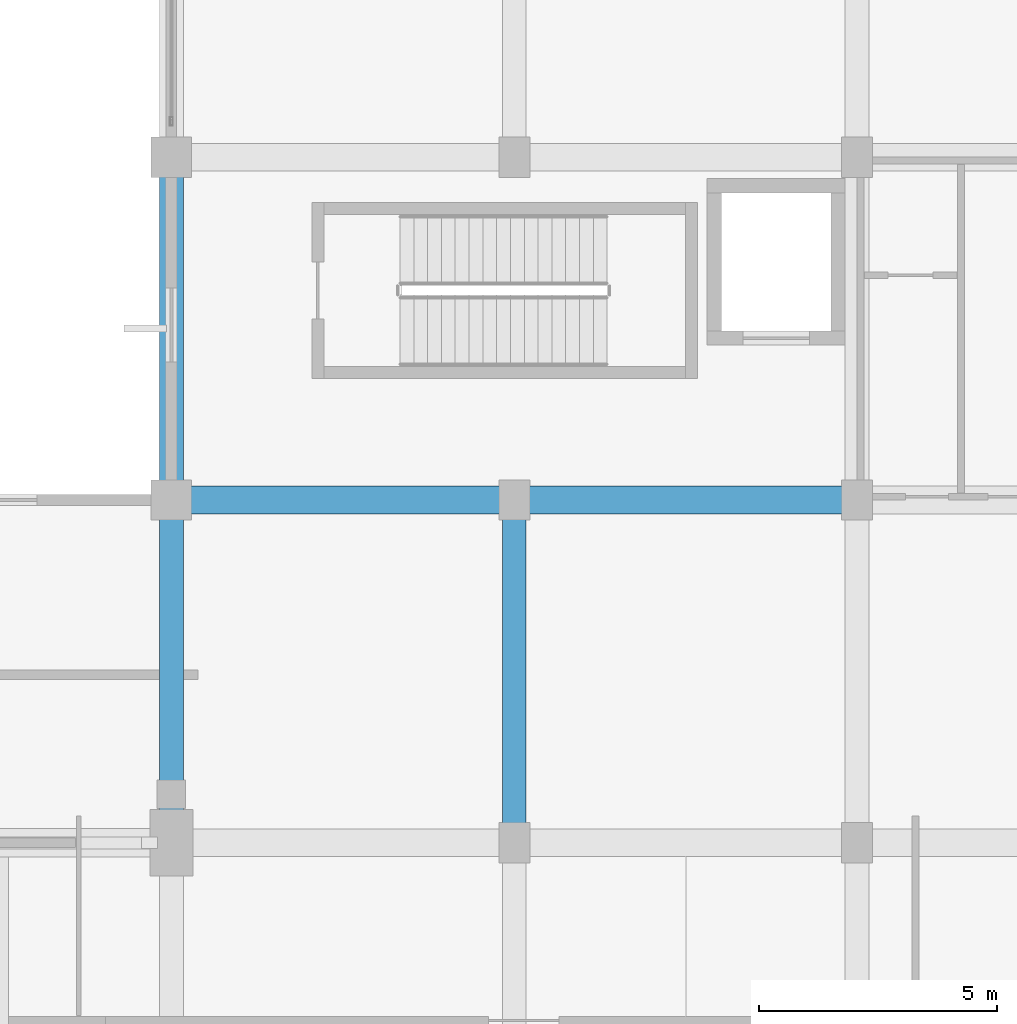
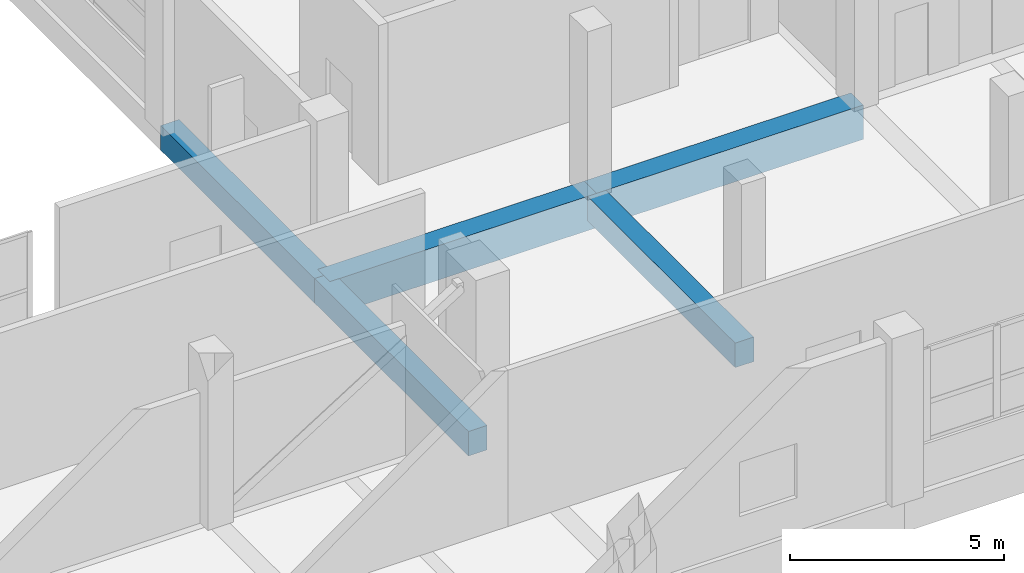
# One storey, part 99 of 181: 5 beams.
"""IFC4 building model written with IfcOpenShell, lengths in metres."""

import ifcopenshell
import ifcopenshell.guid

model = None  # the IFC model being written
_history = None  # IfcOwnerHistory: only IFC2X3 demands one
_inside = {}  # id of a spatial element -> (the spatial element, [elements in it])
_under = {}  # id of a project, library or spatial element -> (it, [spatial elements below it])
_declared = {}  # id of a project -> (the project, [libraries it declares])
_typed = {}  # id of a type object -> (the type object, [elements of that type])
_made_of = {}  # id of a material, layer set ... -> (it, [elements and type objects made of it])


def new_model(schema):
    """Start an empty IFC model of exactly this schema.

    Asked for "IFC4X3", IfcOpenShell would pick the latest addendum, in which some entities
    have other attributes; the version numbers below select the first issue.
    IFC2X3 requires an IfcOwnerHistory on every rooted entity: one is made here for all.
    """
    global model, _history
    if schema == "IFC4X3":
        model = ifcopenshell.file(schema_version=(4, 3, 0, 0))
    else:
        model = ifcopenshell.file(schema=schema)
    _inside.clear()
    _under.clear()
    _declared.clear()
    _typed.clear()
    _made_of.clear()
    _history = None
    if model.schema == "IFC2X3":
        org = make("IfcOrganization", Name="unknown")
        user = make(
            "IfcPersonAndOrganization",
            ThePerson=make("IfcPerson", FamilyName="unknown"),
            TheOrganization=org,
        )
        app = make(
            "IfcApplication",
            ApplicationDeveloper=org,
            Version="unknown",
            ApplicationFullName="unknown",
            ApplicationIdentifier="unknown",
        )
        _history = make(
            "IfcOwnerHistory",
            OwningUser=user,
            OwningApplication=app,
            ChangeAction="ADDED",
            CreationDate=0,
        )
    return model


def make(cls, **values):
    """One entity of the class cls with the attributes given. An attribute that is None is left unset."""
    return model.create_entity(
        cls, **{name: value for name, value in values.items() if value is not None}
    )


def rooted(cls, **values):
    """An entity with a GlobalId (a new one), such as an element, a storey or a relation."""
    return make(cls, GlobalId=ifcopenshell.guid.new(), OwnerHistory=_history, **values)


def si_unit(unit_type, name, prefix=None):
    """IfcSIUnit, for example si_unit("LENGTHUNIT", "METRE", prefix="MILLI")."""
    return make("IfcSIUnit", UnitType=unit_type, Prefix=prefix, Name=name)


def assignment(units):
    """IfcUnitAssignment: the units of a project."""
    return None if units is None else make("IfcUnitAssignment", Units=units)


def point(xyz):
    """IfcCartesianPoint."""
    return None if xyz is None else make("IfcCartesianPoint", Coordinates=xyz)


def direction(xyz):
    """IfcDirection."""
    return None if xyz is None else make("IfcDirection", DirectionRatios=xyz)


def frame(location, z_axis=None, x_axis=None):
    """IfcAxis2Placement3D, a coordinate frame: its origin and axes. An axis left out is left unset."""
    return make(
        "IfcAxis2Placement3D",
        Location=point(location),
        Axis=direction(z_axis),
        RefDirection=direction(x_axis),
    )


def frame_2d(location, x_axis=None):
    """IfcAxis2Placement2D, a coordinate frame in the plane: its origin and x axis."""
    return make(
        "IfcAxis2Placement2D", Location=point(location), RefDirection=direction(x_axis)
    )


def origin():
    """The frame at (0, 0, 0) with its axes left unset."""
    return frame((0.0, 0.0, 0.0))


def origin_2d():
    """The frame at (0, 0) in the plane with its x axis left unset."""
    return frame_2d((0.0, 0.0))


def place(relative_to, where):
    """IfcLocalPlacement: puts the frame where relative to a parent placement (None: the world)."""
    return make(
        "IfcLocalPlacement", PlacementRelTo=relative_to, RelativePlacement=where
    )


def context(
    kind, dimensions, precision=None, world=None, true_north=None, identifier=None
):
    """IfcGeometricRepresentationContext, for example the 3D "Model" context."""
    return make(
        "IfcGeometricRepresentationContext",
        ContextIdentifier=identifier,
        ContextType=kind,
        CoordinateSpaceDimension=dimensions,
        Precision=precision,
        WorldCoordinateSystem=world,
        TrueNorth=true_north,
    )


def subcontext(parent, identifier, kind, view, scale=None):
    """IfcGeometricRepresentationSubContext, for example "Body" below "Model"."""
    return make(
        "IfcGeometricRepresentationSubContext",
        ContextIdentifier=identifier,
        ContextType=kind,
        ParentContext=parent,
        TargetScale=scale,
        TargetView=view,
    )


def project(units=None, contexts=None):
    """IfcProject with its units and contexts."""
    return rooted(
        "IfcProject",
        Name="project",
        RepresentationContexts=contexts,
        UnitsInContext=assignment(units),
    )


def spatial(cls, under=None, at=None, **own):
    """A site, building, storey or space (cls), placed at a placement, below another one or the project."""
    s = rooted(cls, ObjectPlacement=at, **own)
    if under is not None:
        _under.setdefault(under.id(), (under, []))[1].append(s)
    return s


def profile(cls, at=None, kind="AREA", **sizes):
    """A parametric profile (cls). Its sizes go by their IFC names, for example OverallWidth=200.0."""
    return make(cls, ProfileType=kind, Position=at, **sizes)


def rectangle(**sizes):
    """IfcRectangleProfileDef."""
    return profile("IfcRectangleProfileDef", **sizes)


def extrude(swept, where, along, depth):
    """IfcExtrudedAreaSolid: the profile swept, set in the frame where, extruded along a direction by depth."""
    return make(
        "IfcExtrudedAreaSolid",
        SweptArea=swept,
        Position=where,
        ExtrudedDirection=direction(along),
        Depth=depth,
    )


def shape(context_of_items, identifier, shape_type, items):
    """IfcShapeRepresentation: the items that make up one representation, for example the "Body"."""
    return make(
        "IfcShapeRepresentation",
        ContextOfItems=context_of_items,
        RepresentationIdentifier=identifier,
        RepresentationType=shape_type,
        Items=items,
    )


def material(Name=None, Category=None):
    """IfcMaterial."""
    return make("IfcMaterial", Name=Name, Category=Category)


def material_profile(
    of_material, cross_section, Name=None, Category=None, Priority=None
):
    """IfcMaterialProfile: a cross section and its material."""
    return make(
        "IfcMaterialProfile",
        Name=Name,
        Material=of_material,
        Profile=cross_section,
        Priority=Priority,
        Category=Category,
    )


def profile_set(profiles, Name=None, composite=None):
    """IfcMaterialProfileSet."""
    return make(
        "IfcMaterialProfileSet",
        Name=Name,
        MaterialProfiles=profiles,
        CompositeProfile=composite,
    )


def made_of(thing, what):
    """Note that an element or type object is made of a material, layer set ...; save() writes the relation."""
    if what is not None:
        _made_of.setdefault(what.id(), (what, []))[1].append(thing)
    return thing


def type_object(cls, material=None, **own):
    """A type object (cls), such as IfcWallType, which elements share."""
    return made_of(rooted(cls, **own), material)


def element(
    cls,
    number,
    at=None,
    inside=None,
    cuts=None,
    type_object=None,
    material=None,
    context=None,
    identifier="Body",
    shape_type=None,
    held_by="IfcProductDefinitionShape",
    body=None,
    shapes=None,
    **own,
):
    """One element of the class cls, such as IfcWall. Its Tag is "e" and its number.

    at: its placement. inside: the storey or other place that contains it. cuts: it is an
    opening in that element (IfcRelVoidsElement). A single representation is given by context,
    identifier, shape_type and body (its items); several are given by shapes. held_by: the class
    of the entity that holds the representations. save() writes the other relations.
    """
    e = rooted(cls, Tag="e%d" % number, ObjectPlacement=at, **own)
    if body is not None:
        shapes = [shape(context, identifier, shape_type, body)]
    if shapes is not None:
        e.Representation = make(held_by, Representations=shapes)
    if inside is not None:
        _inside.setdefault(inside.id(), (inside, []))[1].append(e)
    if cuts is not None:
        rooted(
            "IfcRelVoidsElement", RelatingBuildingElement=cuts, RelatedOpeningElement=e
        )
    if type_object is not None:
        _typed.setdefault(type_object.id(), (type_object, []))[1].append(e)
    return made_of(e, material)


def aggregate(whole, parts):
    """IfcRelAggregates: a whole, such as a stair, and the parts it consists of."""
    return rooted("IfcRelAggregates", RelatingObject=whole, RelatedObjects=parts)


def save(model, path):
    """Write the relations noted so far, then the file.

    IfcRelAggregates (storeys below a building ...), IfcRelContainedInSpatialStructure (elements
    in a storey), IfcRelDefinesByType, IfcRelAssociatesMaterial and IfcRelDeclares: one each for
    every whole, place, type object, material and project.
    """
    for whole, parts in _under.values():
        aggregate(whole, parts)
    for where, things in _inside.values():
        rooted(
            "IfcRelContainedInSpatialStructure",
            RelatedElements=things,
            RelatingStructure=where,
        )
    for kind, things in _typed.values():
        rooted("IfcRelDefinesByType", RelatedObjects=things, RelatingType=kind)
    for what, things in _made_of.values():
        rooted("IfcRelAssociatesMaterial", RelatedObjects=things, RelatingMaterial=what)
    for by, libraries in _declared.values():
        rooted("IfcRelDeclares", RelatingContext=by, RelatedDefinitions=libraries)
    model.write(path)


model = new_model("IFC4")

# Units and contexts
model_context = context("Model", 3, precision=1e-05, world=origin(), true_north=direction((0.0, 1.0)))
body_context = subcontext(model_context, "Body", "Model", "MODEL_VIEW")
ifc_project = project(units=[si_unit("LENGTHUNIT", "METRE"), si_unit("AREAUNIT", "SQUARE_METRE"), si_unit("VOLUMEUNIT", "CUBIC_METRE"), si_unit("PLANEANGLEUNIT", "RADIAN"), si_unit("MASSUNIT", "GRAM", prefix="KILO")], contexts=[model_context])

# Site, building, storey
site_placement = place(None, origin())
site = spatial("IfcSite", under=ifc_project, at=site_placement, CompositionType="ELEMENT")
building_placement = place(site_placement, origin())
building = spatial("IfcBuilding", under=site, at=building_placement, Name="Seraya Terrace Polytechnic", CompositionType="ELEMENT")
storey_placement = place(building_placement, frame((0.0, 0.0, 4.800048828125)))
storey = spatial("IfcBuildingStorey", under=building, at=storey_placement, Name="L01", CompositionType="ELEMENT", Elevation=4.800048828125)

# Beams
ifc_material = material(Name="Concrete C40/50", Category="concrete")
ifc_material_profile_1 = material_profile(ifc_material, rectangle(XDim=0.580078125, YDim=0.97998046875, at=origin_2d()), Name="RC 580x980")
ifc_profile_set_1 = profile_set([ifc_material_profile_1], Name="Concrete C40/50")
beam_type_1 = type_object("IfcBeamType", Name="BM-02", PredefinedType="BEAM", material=ifc_profile_set_1)
beam_1_placement = place(storey_placement, frame((115.199951171875, 86.39990234375, -0.489990234375), z_axis=(1.0, 0.0, 0.0), x_axis=(0.0, 1.0, 0.0)))
element("IfcBeam", 1, at=beam_1_placement, inside=storey, type_object=beam_type_1, Name="Beam BM-02 L01 X (115.2..122.4, 86.4)", PredefinedType="BEAM", context=body_context, shape_type="SweptSolid", body=[
    extrude(rectangle(XDim=0.580078125, YDim=0.97998046875, at=origin_2d()), origin(), (0.0, 0.0, 1.0), 7.199951171875),
])
beam_2_placement = place(storey_placement, frame((122.39990234375, 86.39990234375, -0.489990234375), z_axis=(1.0, 0.0, 0.0), x_axis=(0.0, 1.0, 0.0)))
element("IfcBeam", 2, at=beam_2_placement, inside=storey, type_object=beam_type_1, Name="Beam BM-02 L01 X (122.4..129.6, 86.4)", PredefinedType="BEAM", context=body_context, shape_type="SweptSolid", body=[
    extrude(rectangle(XDim=0.580078125, YDim=0.97998046875, at=origin_2d()), origin(), (0.0, 0.0, 1.0), 7.2001953125),
])
ifc_material_profile_2 = material_profile(ifc_material, rectangle(XDim=0.5, YDim=0.699951171875, at=origin_2d()), Name="RC 500x700")
ifc_profile_set_2 = profile_set([ifc_material_profile_2], Name="Concrete C40/50")
beam_type_2 = type_object("IfcBeamType", Name="BM-07", PredefinedType="BEAM", material=ifc_profile_set_2)
beam_3_placement = place(storey_placement, frame((115.199951171875, 79.199951171875, -0.35009765625), z_axis=(0.0, 1.0, 0.0), x_axis=(-1.0, 0.0, 0.0)))
element("IfcBeam", 3, at=beam_3_placement, inside=storey, type_object=beam_type_2, Name="Beam BM-07 L01 Y (115.2, 79.2..86.4)", PredefinedType="BEAM", context=body_context, shape_type="SweptSolid", body=[
    extrude(rectangle(XDim=0.5, YDim=0.699951171875, at=origin_2d()), origin(), (0.0, 0.0, 1.0), 7.199951171875),
])
beam_4_placement = place(storey_placement, frame((115.199951171875, 86.39990234375, -0.35009765625), z_axis=(0.0, 1.0, 0.0), x_axis=(-1.0, 0.0, 0.0)))
element("IfcBeam", 4, at=beam_4_placement, inside=storey, type_object=beam_type_2, Name="Beam BM-07 L01 Y (115.2, 86.4..93.6)", PredefinedType="BEAM", context=body_context, shape_type="SweptSolid", body=[
    extrude(rectangle(XDim=0.5, YDim=0.699951171875, at=origin_2d()), origin(), (0.0, 0.0, 1.0), 7.2001953125),
])
beam_5_placement = place(storey_placement, frame((122.39990234375, 79.199951171875, -0.35009765625), z_axis=(0.0, 1.0, 0.0), x_axis=(-1.0, 0.0, 0.0)))
element("IfcBeam", 5, at=beam_5_placement, inside=storey, type_object=beam_type_2, Name="Beam BM-07 L01 Y (122.4, 79.2..86.4)", PredefinedType="BEAM", context=body_context, shape_type="SweptSolid", body=[
    extrude(rectangle(XDim=0.5, YDim=0.699951171875, at=origin_2d()), origin(), (0.0, 0.0, 1.0), 7.199951171875),
])

save(model, "model.ifc")
